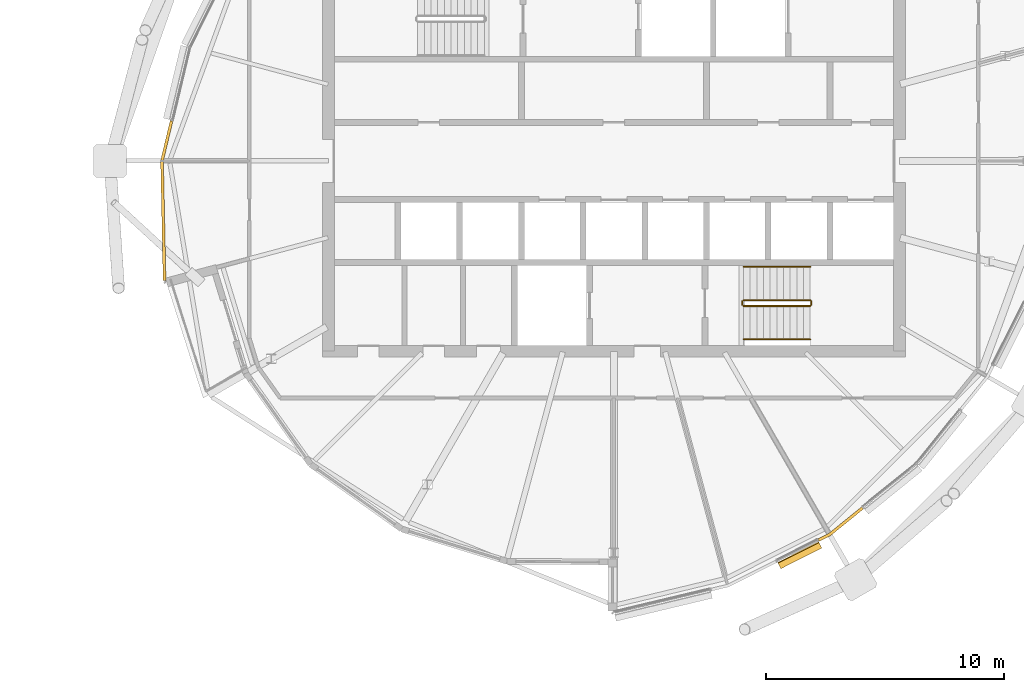
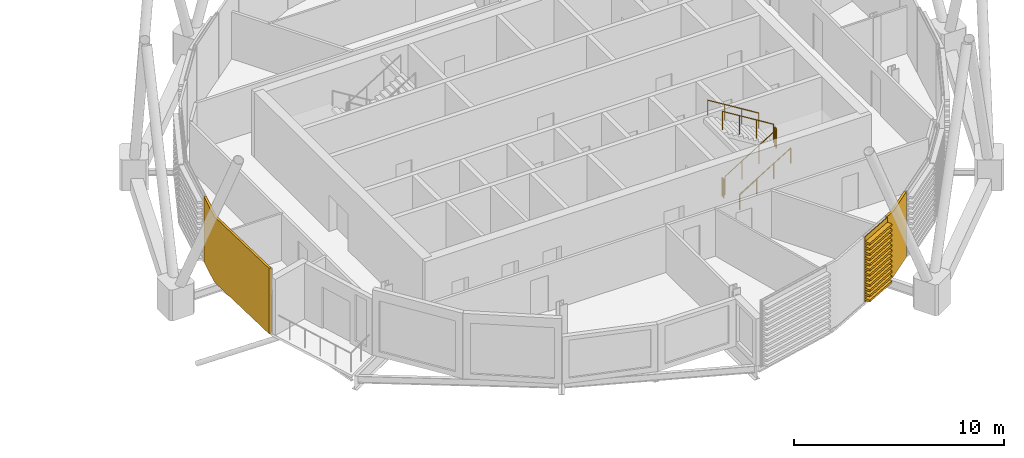
# One storey, part 29 of 31: 6 railings, 3 coverings.
"""IFC4 building model written with IfcOpenShell, lengths in metres."""

from ifc_helpers import new_model, si_unit, direction, frame, origin, origin_2d, place, context, subcontext, project, spatial, polyline, circle, outline, extrude, material, layer, layer_set, material_profile, profile_set, type_object, element, save


model = new_model("IFC4")

# Units and contexts
model_context = context("Model", 3, precision=1e-05, world=origin(), true_north=direction((0.0, 1.0)))
body_context = subcontext(model_context, "Body", "Model", "MODEL_VIEW")
ifc_project = project(units=[si_unit("LENGTHUNIT", "METRE"), si_unit("AREAUNIT", "SQUARE_METRE"), si_unit("VOLUMEUNIT", "CUBIC_METRE"), si_unit("PLANEANGLEUNIT", "RADIAN"), si_unit("MASSUNIT", "GRAM", prefix="KILO")], contexts=[model_context])

# Site, building, storey
site_placement = place(None, origin())
site = spatial("IfcSite", under=ifc_project, at=site_placement, CompositionType="ELEMENT")
building_placement = place(site_placement, origin())
building = spatial("IfcBuilding", under=site, at=building_placement, Name="Rimbun Link Towers", CompositionType="ELEMENT")
storey_placement = place(building_placement, frame((0.0, 0.0, 244.699951171875)))
storey = spatial("IfcBuildingStorey", under=building, at=storey_placement, Name="L60", CompositionType="ELEMENT", Elevation=244.699951171875)

# Coverings
ifc_material_1 = material(Name="Terracotta", Category="masonry")
ifc_layer = layer(ifc_material_1, 0.1201171875)
ifc_layer_set = layer_set([ifc_layer], Name="LINK PIER terracotta cladding 120")
covering_type_1 = type_object("IfcCoveringType", Name="LINK PIER terracotta cladding 120", PredefinedType="CLADDING", material=ifc_layer_set)
covering_1_placement = place(storey_placement, origin())
element("IfcCovering", 1, at=covering_1_placement, inside=storey, type_object=covering_type_1, Name="LINK PIER cladding", PredefinedType="CLADDING", context=body_context, shape_type="SweptSolid", body=[
    extrude(outline(polyline([(12.91650390625, -5.016357421875), (12.810791015625, 0.0), (13.2109375, 1.6728515625), (13.09423828125, 1.70068359375), (12.6904296875, 0.012939453125), (12.79638671875, -5.018798828125), (12.91650390625, -5.016357421875)])), origin(), (0.0, 0.0, 1.0), 3.800048828125),
])
covering_2_placement = place(storey_placement, origin())
element("IfcCovering", 2, at=covering_2_placement, inside=storey, type_object=covering_type_1, Name="LINK PIER cladding", PredefinedType="CLADDING", context=body_context, shape_type="SweptSolid", body=[
    extrude(outline(polyline([(42.1640625, -14.541015625), (40.788330078125, -15.65478515625), (40.323486328125, -15.887939453125), (40.37744140625, -15.995361328125), (40.853759765625, -15.756103515625), (42.239501953125, -14.63427734375), (42.1640625, -14.541015625)])), origin(), (0.0, 0.0, 1.0), 3.800048828125),
])

# Railings
ifc_material_2 = material(Name="Stainless steel grade 316", Category="steel")
railing_type_1 = type_object("IfcRailingType", Name="Stair guard", PredefinedType="GUARDRAIL", material=ifc_material_2)
railing_1_placement = place(storey_placement, frame((37.199951171875, -6.10009765625, 0.1728515625)))
element("IfcRailing", 3, at=railing_1_placement, inside=storey, type_object=railing_type_1, Name="L60 ST4 stair guard 1", PredefinedType="GUARDRAIL", context=body_context, shape_type="SweptSolid", body=[
    extrude(circle(Radius=0.02392578125, at=origin_2d()), frame((0.0, 0.0, 1.076171875), z_axis=(0.851089632645, 0.0, 0.525020415988), x_axis=(0.0, 1.0, 0.0)), (0.0, 0.0, 1.0), 3.2900390625),
    extrude(circle(Radius=0.02099609375, at=origin_2d()), origin(), (0.0, 0.0, 1.0), 1.052001953125),
    extrude(circle(Radius=0.02099609375, at=origin_2d()), frame((0.933349609375, 0.0, 0.57568359375)), (0.0, 0.0, 1.0), 1.052001953125),
    extrude(circle(Radius=0.02099609375, at=origin_2d()), frame((1.86669921875, 0.0, 1.151611328125)), (0.0, 0.0, 1.0), 1.052001953125),
    extrude(circle(Radius=0.02099609375, at=origin_2d()), frame((2.800048828125, 0.0, 1.727294921875)), (0.0, 0.0, 1.0), 1.052001953125),
])
railing_2_placement = place(storey_placement, frame((40.050048828125, -6.050048828125, 1.900146484375)))
element("IfcRailing", 4, at=railing_2_placement, inside=storey, type_object=railing_type_1, Name="L60 ST4 stair guard 2", PredefinedType="GUARDRAIL", context=body_context, shape_type="SweptSolid", body=[
    extrude(circle(Radius=0.02392578125, at=origin_2d()), frame((0.0, 0.0, 1.076171875), z_axis=(0.0, 1.0, 0.0), x_axis=(-1.0, 0.0, 0.0)), (0.0, 0.0, 1.0), 0.150146484375),
    extrude(circle(Radius=0.02099609375, at=origin_2d()), origin(), (0.0, 0.0, 1.0), 1.052001953125),
    extrude(circle(Radius=0.02099609375, at=origin_2d()), frame((0.0, 0.150146484375, 0.0)), (0.0, 0.0, 1.0), 1.052001953125),
])
railing_3_placement = place(storey_placement, frame((40.0, -5.85009765625, 2.07275390625)))
element("IfcRailing", 5, at=railing_3_placement, inside=storey, type_object=railing_type_1, Name="L60 ST4 stair guard 3", PredefinedType="GUARDRAIL", context=body_context, shape_type="SweptSolid", body=[
    extrude(circle(Radius=0.02392578125, at=origin_2d()), frame((0.0, 0.0, 1.076171875), z_axis=(-0.851089632645, 0.0, 0.525020415988), x_axis=(0.0, -1.0, 0.0)), (0.0, 0.0, 1.0), 3.2900390625),
    extrude(circle(Radius=0.02099609375, at=origin_2d()), origin(), (0.0, 0.0, 1.0), 1.052001953125),
    extrude(circle(Radius=0.02099609375, at=origin_2d()), frame((-0.933349609375, 0.0, 0.57568359375)), (0.0, 0.0, 1.0), 1.052001953125),
    extrude(circle(Radius=0.02099609375, at=origin_2d()), frame((-1.86669921875, 0.0, 1.151611328125)), (0.0, 0.0, 1.0), 1.052001953125),
    extrude(circle(Radius=0.02099609375, at=origin_2d()), frame((-2.800048828125, 0.0, 1.727294921875)), (0.0, 0.0, 1.0), 1.052001953125),
])
railing_4_placement = place(storey_placement, frame((37.14990234375, -6.050048828125, 0.0)))
element("IfcRailing", 6, at=railing_4_placement, inside=storey, type_object=railing_type_1, Name="L60 ST4 stair guard 4", PredefinedType="GUARDRAIL", context=body_context, shape_type="SweptSolid", body=[
    extrude(circle(Radius=0.02392578125, at=origin_2d()), frame((0.0, 0.0, 1.076171875), z_axis=(0.0, 1.0, 0.0), x_axis=(-1.0, 0.0, 0.0)), (0.0, 0.0, 1.0), 0.150146484375),
    extrude(circle(Radius=0.02099609375, at=origin_2d()), origin(), (0.0, 0.0, 1.0), 1.052001953125),
    extrude(circle(Radius=0.02099609375, at=origin_2d()), frame((0.0, 0.150146484375, 0.0)), (0.0, 0.0, 1.0), 1.052001953125),
])
ifc_material_3 = material(Name="Stainless steel grade 316", Category="steel")
railing_type_2 = type_object("IfcRailingType", Name="Stair handrail", PredefinedType="HANDRAIL", material=ifc_material_3)
railing_5_placement = place(storey_placement, frame((37.199951171875, -7.5, 0.1728515625)))
element("IfcRailing", 7, at=railing_5_placement, inside=storey, type_object=railing_type_2, Name="L60 ST4 stair handrail 1", PredefinedType="HANDRAIL", context=body_context, shape_type="SweptSolid", body=[
    extrude(circle(Radius=0.02392578125, at=origin_2d()), frame((0.0, 0.0, 0.8759765625), z_axis=(0.851089632645, 0.0, 0.525020415988), x_axis=(0.0, 1.0, 0.0)), (0.0, 0.0, 1.0), 3.2900390625),
    extrude(circle(Radius=0.02099609375, at=origin_2d()), origin(), (0.0, 0.0, 1.0), 0.851806640625),
    extrude(circle(Radius=0.02099609375, at=origin_2d()), frame((0.933349609375, 0.0, 0.57568359375)), (0.0, 0.0, 1.0), 0.851806640625),
    extrude(circle(Radius=0.02099609375, at=origin_2d()), frame((1.86669921875, 0.0, 1.151611328125)), (0.0, 0.0, 1.0), 0.851806640625),
    extrude(circle(Radius=0.02099609375, at=origin_2d()), frame((2.800048828125, 0.0, 1.727294921875)), (0.0, 0.0, 1.0), 0.851806640625),
])
railing_6_placement = place(storey_placement, frame((40.0, -4.449951171875, 2.07275390625)))
element("IfcRailing", 8, at=railing_6_placement, inside=storey, type_object=railing_type_2, Name="L60 ST4 stair handrail 2", PredefinedType="HANDRAIL", context=body_context, shape_type="SweptSolid", body=[
    extrude(circle(Radius=0.02392578125, at=origin_2d()), frame((0.0, 0.0, 0.8759765625), z_axis=(-0.851089632645, 0.0, 0.525020415988), x_axis=(0.0, -1.0, 0.0)), (0.0, 0.0, 1.0), 3.2900390625),
    extrude(circle(Radius=0.02099609375, at=origin_2d()), origin(), (0.0, 0.0, 1.0), 0.851806640625),
    extrude(circle(Radius=0.02099609375, at=origin_2d()), frame((-0.933349609375, 0.0, 0.57568359375)), (0.0, 0.0, 1.0), 0.851806640625),
    extrude(circle(Radius=0.02099609375, at=origin_2d()), frame((-1.86669921875, 0.0, 1.151611328125)), (0.0, 0.0, 1.0), 0.851806640625),
    extrude(circle(Radius=0.02099609375, at=origin_2d()), frame((-2.800048828125, 0.0, 1.727294921875)), (0.0, 0.0, 1.0), 0.851806640625),
])

# Covering
ifc_material_4 = material(Name="Terracotta", Category="masonry")
ifc_material_profile = material_profile(ifc_material_4, outline(polyline([(0.123046875, 0.0), (0.1630859375, 0.0), (0.1630859375, 0.10009765625), (0.423095703125, 0.10009765625), (0.423095703125, 0.219970703125), (0.1630859375, 0.219970703125), (0.1630859375, 0.39990234375), (0.423095703125, 0.39990234375), (0.423095703125, 0.52001953125), (0.1630859375, 0.52001953125), (0.1630859375, 0.699951171875), (0.423095703125, 0.699951171875), (0.423095703125, 0.820068359375), (0.1630859375, 0.820068359375), (0.1630859375, 1.0), (0.423095703125, 1.0), (0.423095703125, 1.1201171875), (0.1630859375, 1.1201171875), (0.1630859375, 1.300048828125), (0.423095703125, 1.300048828125), (0.423095703125, 1.419921875), (0.1630859375, 1.419921875), (0.1630859375, 1.60009765625), (0.423095703125, 1.60009765625), (0.423095703125, 1.719970703125), (0.1630859375, 1.719970703125), (0.1630859375, 1.89990234375), (0.423095703125, 1.89990234375), (0.423095703125, 2.02001953125), (0.1630859375, 2.02001953125), (0.1630859375, 2.199951171875), (0.423095703125, 2.199951171875), (0.423095703125, 2.320068359375), (0.1630859375, 2.320068359375), (0.1630859375, 2.5), (0.423095703125, 2.5), (0.423095703125, 2.6201171875), (0.1630859375, 2.6201171875), (0.1630859375, 2.800048828125), (0.423095703125, 2.800048828125), (0.423095703125, 2.919921875), (0.1630859375, 2.919921875), (0.1630859375, 3.10009765625), (0.423095703125, 3.10009765625), (0.423095703125, 3.219970703125), (0.1630859375, 3.219970703125), (0.1630859375, 3.39990234375), (0.423095703125, 3.39990234375), (0.423095703125, 3.52001953125), (0.1630859375, 3.52001953125), (0.1630859375, 3.800048828125), (0.123046875, 3.800048828125), (0.123046875, 0.0)])), Name="BAGUETTE 120X300")
ifc_profile_set = profile_set([ifc_material_profile], Name="Terracotta")
covering_type_2 = type_object("IfcCoveringType", Name="TERRACOTTA BAGUETTE 120X300 H3800", PredefinedType="CLADDING", material=ifc_profile_set)
covering_3_placement = place(storey_placement, frame((40.296875, -15.901611328125, 0.0), z_axis=(-0.893691269661, -0.448682420573, 0.0), x_axis=(0.448682420573, -0.893691269661, 0.0)))
element("IfcCovering", 9, at=covering_3_placement, inside=storey, type_object=covering_type_2, Name="TERRACOTTA BAGUETTE", PredefinedType="CLADDING", context=body_context, shape_type="SweptSolid", body=[
    extrude(outline(polyline([(0.123046875, 0.0), (0.1630859375, 0.0), (0.1630859375, 0.10009765625), (0.423095703125, 0.10009765625), (0.423095703125, 0.219970703125), (0.1630859375, 0.219970703125), (0.1630859375, 0.39990234375), (0.423095703125, 0.39990234375), (0.423095703125, 0.52001953125), (0.1630859375, 0.52001953125), (0.1630859375, 0.699951171875), (0.423095703125, 0.699951171875), (0.423095703125, 0.820068359375), (0.1630859375, 0.820068359375), (0.1630859375, 1.0), (0.423095703125, 1.0), (0.423095703125, 1.1201171875), (0.1630859375, 1.1201171875), (0.1630859375, 1.300048828125), (0.423095703125, 1.300048828125), (0.423095703125, 1.419921875), (0.1630859375, 1.419921875), (0.1630859375, 1.60009765625), (0.423095703125, 1.60009765625), (0.423095703125, 1.719970703125), (0.1630859375, 1.719970703125), (0.1630859375, 1.89990234375), (0.423095703125, 1.89990234375), (0.423095703125, 2.02001953125), (0.1630859375, 2.02001953125), (0.1630859375, 2.199951171875), (0.423095703125, 2.199951171875), (0.423095703125, 2.320068359375), (0.1630859375, 2.320068359375), (0.1630859375, 2.5), (0.423095703125, 2.5), (0.423095703125, 2.6201171875), (0.1630859375, 2.6201171875), (0.1630859375, 2.800048828125), (0.423095703125, 2.800048828125), (0.423095703125, 2.919921875), (0.1630859375, 2.919921875), (0.1630859375, 3.10009765625), (0.423095703125, 3.10009765625), (0.423095703125, 3.219970703125), (0.1630859375, 3.219970703125), (0.1630859375, 3.39990234375), (0.423095703125, 3.39990234375), (0.423095703125, 3.52001953125), (0.1630859375, 3.52001953125), (0.1630859375, 3.800048828125), (0.123046875, 3.800048828125), (0.123046875, 0.0)])), origin(), (0.0, 0.0, 1.0), 1.92724609375),
])

save(model, "model.ifc")
